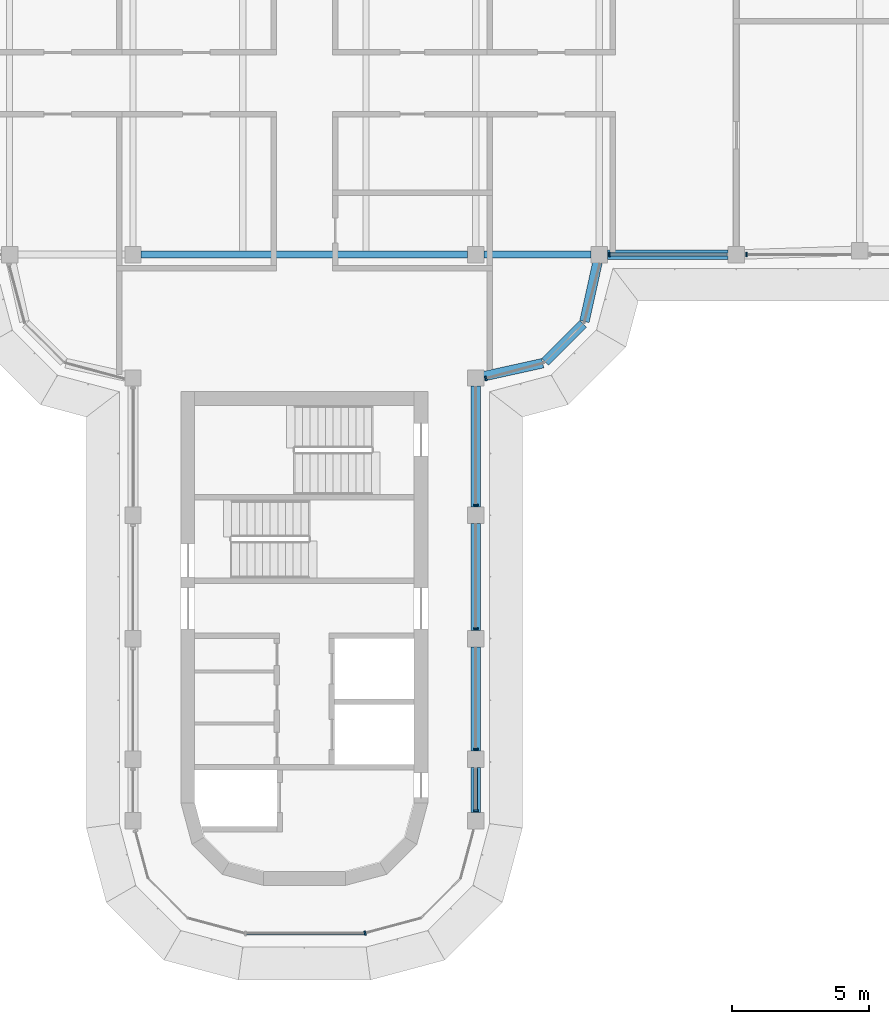
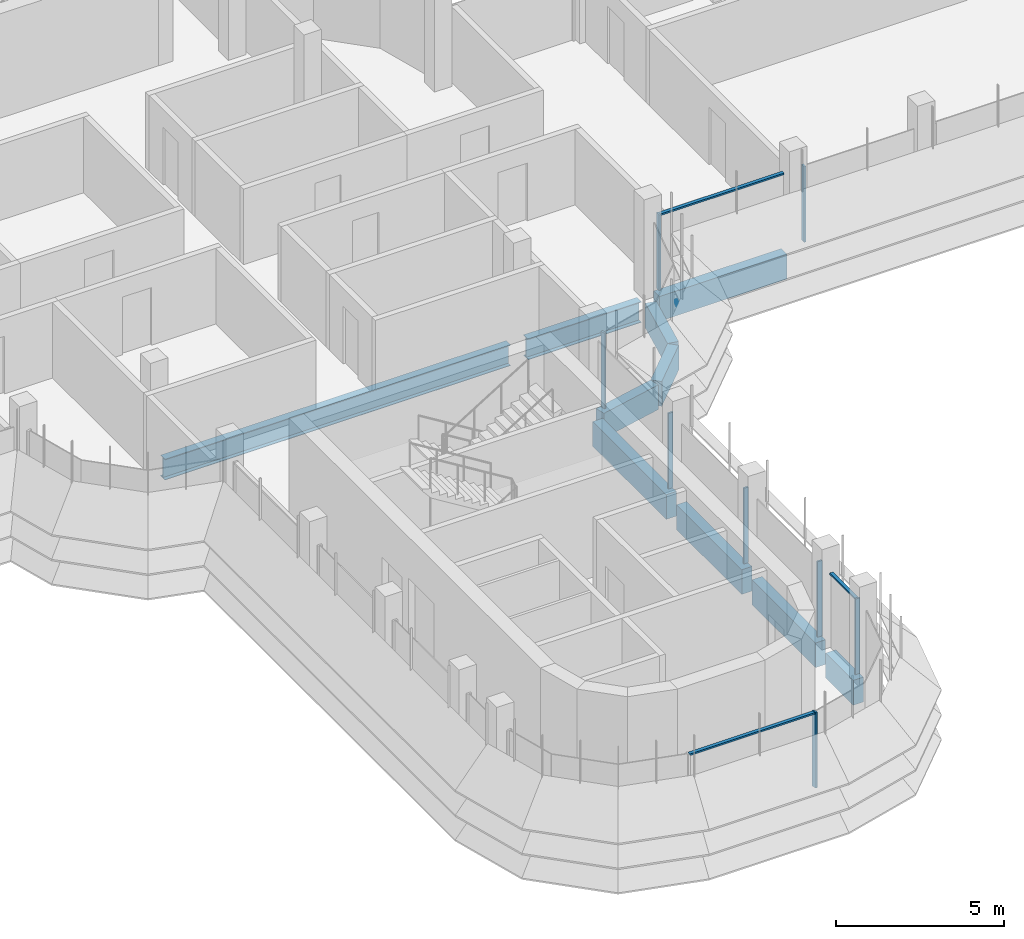
# One storey, part 4 of 19: 11 members, 10 beams, 5 elements without a shape of their own.
"""IFC4 building model written with IfcOpenShell, lengths in metres."""

from ifc_helpers import new_model, si_unit, direction, frame, origin, origin_2d, place, context, subcontext, project, spatial, polyline, rectangle, i_section, outline, extrude, source, transform, mapped, material, material_profile, profile_set, type_object, element, aggregate, save


model = new_model("IFC4")

# Units and contexts
model_context = context("Model", 3, precision=1e-05, world=origin(), true_north=direction((0.0, 1.0)))
body_context = subcontext(model_context, "Body", "Model", "MODEL_VIEW")
ifc_project = project(units=[si_unit("LENGTHUNIT", "METRE"), si_unit("AREAUNIT", "SQUARE_METRE"), si_unit("VOLUMEUNIT", "CUBIC_METRE"), si_unit("PLANEANGLEUNIT", "RADIAN"), si_unit("MASSUNIT", "GRAM", prefix="KILO")], contexts=[model_context])

# Site, building, storey
site_placement = place(None, origin())
site = spatial("IfcSite", under=ifc_project, at=site_placement, CompositionType="ELEMENT")
building_placement = place(site_placement, origin())
building = spatial("IfcBuilding", under=site, at=building_placement, Name="Zarbagh Exchange Tower", CompositionType="ELEMENT")
storey_placement = place(building_placement, frame((0.0, 0.0, 272.60009765625)))
storey = spatial("IfcBuildingStorey", under=building, at=storey_placement, Name="L67", CompositionType="ELEMENT", Elevation=272.60009765625)

# Beams
ifc_material_1 = material(Name="Steel ASTM A992 Gr 50", Category="steel")
ifc_material_profile_1 = material_profile(ifc_material_1, i_section(OverallWidth=0.2666015625, OverallDepth=0.7568359375, WebThickness=0.013916015625, FlangeThickness=0.019287109375, at=origin_2d()), Name="W30X108")
ifc_profile_set_1 = profile_set([ifc_material_profile_1], Name="Steel ASTM A992 Gr 50")
beam_type_1 = type_object("IfcBeamType", Name="Floor girder W30X108", PredefinedType="BEAM", material=ifc_profile_set_1)
beam_1_placement = place(storey_placement, frame((-5.949951171875, -6.25, -0.528564453125), z_axis=(1.0, 0.0, 0.0), x_axis=(0.0, 1.0, 0.0)))
element("IfcBeam", 1, at=beam_1_placement, inside=storey, type_object=beam_type_1, Name="Steel girder", PredefinedType="BEAM", context=body_context, shape_type="SweptSolid", body=[
    extrude(i_section(OverallWidth=0.2666015625, OverallDepth=0.7568359375, WebThickness=0.013916015625, FlangeThickness=0.019287109375, at=origin_2d()), origin(), (0.0, 0.0, 1.0), 11.89990234375),
])
beam_2_placement = place(storey_placement, frame((6.550048828125, -6.25, -0.528564453125), z_axis=(1.0, 0.0, 0.0), x_axis=(0.0, 1.0, 0.0)))
element("IfcBeam", 2, at=beam_2_placement, inside=storey, type_object=beam_type_1, Name="Steel girder", PredefinedType="BEAM", context=body_context, shape_type="SweptSolid", body=[
    extrude(i_section(OverallWidth=0.2666015625, OverallDepth=0.7568359375, WebThickness=0.013916015625, FlangeThickness=0.019287109375, at=origin_2d()), origin(), (0.0, 0.0, 1.0), 3.89990234375),
])
ifc_material_2 = material(Name="Concrete C40/50", Category="concrete")
ifc_material_profile_2 = material_profile(ifc_material_2, rectangle(XDim=0.35009765625, YDim=0.89990234375, at=origin_2d()), Name="RC spandrel beam 350 x 900 C40/50")
ifc_profile_set_2 = profile_set([ifc_material_profile_2], Name="Concrete C40/50")
beam_type_2 = type_object("IfcBeamType", Name="RC spandrel beam 350 x 900 C40/50", PredefinedType="SPANDREL", material=ifc_profile_set_2)
beam_3_placement = place(storey_placement, frame((15.449951171875, -6.25, -0.60009765625), z_axis=(-1.0, 0.0, 0.0), x_axis=(0.0, -1.0, 0.0)))
element("IfcBeam", 3, at=beam_3_placement, inside=storey, type_object=beam_type_2, Name="RC spandrel beam", PredefinedType="SPANDREL", context=body_context, shape_type="SweptSolid", body=[
    extrude(rectangle(XDim=0.35009765625, YDim=0.89990234375, at=origin_2d()), origin(), (0.0, 0.0, 1.0), 4.39990234375),
])
beam_4_placement = place(storey_placement, frame((10.685302734375, -6.54296875, -0.60009765625), z_axis=(-0.216025770228, -0.976387662047, 0.0), x_axis=(0.976387662047, -0.216025770228, 0.0)))
element("IfcBeam", 4, at=beam_4_placement, inside=storey, type_object=beam_type_2, Name="RC spandrel beam", PredefinedType="SPANDREL", context=body_context, shape_type="SweptSolid", body=[
    extrude(rectangle(XDim=0.35009765625, YDim=0.89990234375, at=origin_2d()), origin(), (0.0, 0.0, 1.0), 2.200439453125),
])
beam_5_placement = place(storey_placement, frame((10.16259765625, -8.77734375, -0.60009765625), z_axis=(-0.707106781187, -0.707106781187, 0.0), x_axis=(0.707106781187, -0.707106781187, 0.0)))
element("IfcBeam", 5, at=beam_5_placement, inside=storey, type_object=beam_type_2, Name="RC spandrel beam", PredefinedType="SPANDREL", context=body_context, shape_type="SweptSolid", body=[
    extrude(rectangle(XDim=0.35009765625, YDim=0.89990234375, at=origin_2d()), origin(), (0.0, 0.0, 1.0), 1.958984375),
])
beam_6_placement = place(storey_placement, frame((8.69140625, -10.2099609375, -0.60009765625), z_axis=(-0.976387662047, -0.216025770228, 0.0), x_axis=(0.216025770228, -0.976387662047, 0.0)))
element("IfcBeam", 6, at=beam_6_placement, inside=storey, type_object=beam_type_2, Name="RC spandrel beam", PredefinedType="SPANDREL", context=body_context, shape_type="SweptSolid", body=[
    extrude(rectangle(XDim=0.35009765625, YDim=0.89990234375, at=origin_2d()), origin(), (0.0, 0.0, 1.0), 2.200439453125),
])
beam_7_placement = place(storey_placement, frame((6.25, -11.050048828125, -0.60009765625), z_axis=(0.0, -1.0, 0.0), x_axis=(1.0, 0.0, 0.0)))
element("IfcBeam", 7, at=beam_7_placement, inside=storey, type_object=beam_type_2, Name="RC spandrel beam", PredefinedType="SPANDREL", context=body_context, shape_type="SweptSolid", body=[
    extrude(rectangle(XDim=0.35009765625, YDim=0.89990234375, at=origin_2d()), origin(), (0.0, 0.0, 1.0), 4.39990234375),
])
beam_8_placement = place(storey_placement, frame((6.25, -16.050048828125, -0.60009765625), z_axis=(0.0, -1.0, 0.0), x_axis=(1.0, 0.0, 0.0)))
element("IfcBeam", 8, at=beam_8_placement, inside=storey, type_object=beam_type_2, Name="RC spandrel beam", PredefinedType="SPANDREL", context=body_context, shape_type="SweptSolid", body=[
    extrude(rectangle(XDim=0.35009765625, YDim=0.89990234375, at=origin_2d()), origin(), (0.0, 0.0, 1.0), 3.89990234375),
])
beam_9_placement = place(storey_placement, frame((6.25, -20.550048828125, -0.60009765625), z_axis=(0.0, -1.0, 0.0), x_axis=(1.0, 0.0, 0.0)))
element("IfcBeam", 9, at=beam_9_placement, inside=storey, type_object=beam_type_2, Name="RC spandrel beam", PredefinedType="SPANDREL", context=body_context, shape_type="SweptSolid", body=[
    extrude(rectangle(XDim=0.35009765625, YDim=0.89990234375, at=origin_2d()), origin(), (0.0, 0.0, 1.0), 3.800048828125),
])
beam_10_placement = place(storey_placement, frame((6.25, -24.949951171875, -0.60009765625), z_axis=(0.0, -1.0, 0.0), x_axis=(1.0, 0.0, 0.0)))
element("IfcBeam", 10, at=beam_10_placement, inside=storey, type_object=beam_type_2, Name="RC spandrel beam", PredefinedType="SPANDREL", context=body_context, shape_type="SweptSolid", body=[
    extrude(rectangle(XDim=0.35009765625, YDim=0.89990234375, at=origin_2d()), origin(), (0.0, 0.0, 1.0), 1.650146484375),
])

# Curtain wall, member
ifc_material_3 = material(Name="Anodised aluminium frame and glazing", Category="aluminium")
curtain_wall_type = type_object("IfcCurtainWallType", Name="CWB Ribbon glazing, upper zones", PredefinedType="NOTDEFINED", material=ifc_material_3)
curtain_wall_1_placement = place(storey_placement, origin())
curtain_wall_1 = element("IfcCurtainWall", 11, at=curtain_wall_1_placement, inside=storey, type_object=curtain_wall_type, Name="CWB49 curtain wall", PredefinedType="NOTDEFINED")
ifc_material_4 = material(Name="Anodised aluminium frame", Category="aluminium")
member_type_1 = type_object("IfcMemberType", Name="MUB Mullion, anodised aluminium frame", PredefinedType="MULLION", material=ifc_material_4)
shared_shape_1 = source(origin(), body_context, "Body", "SweptSolid", [
    extrude(outline(polyline([(0.0, -0.080078125), (0.06005859375, -0.080078125), (0.06005859375, 0.080078125), (0.0, 0.080078125), (0.0, -0.080078125)])), origin(), (0.0, 0.0, 1.0), 2.75),
])
placement = place(storey_placement, origin())
member_1 = element("IfcMember", 12, at=placement, type_object=member_type_1, Name="CWB49 mullion 1.1", PredefinedType="MULLION", context=body_context, shape_type="MappedRepresentation", body=[
    mapped(shared_shape_1, transform((2.18408203125, -31.0, 0.0), x_axis=(0.965924289636, 0.258824779902, 0.0), y_axis=(-0.258824779902, 0.965924289636, 0.0), z_axis=(0.0, 0.0, 1.0))),
])
aggregate(curtain_wall_1, [member_1])

# Curtain wall, members
curtain_wall_2_placement = place(storey_placement, origin())
curtain_wall_2 = element("IfcCurtainWall", 13, at=curtain_wall_2_placement, inside=storey, type_object=curtain_wall_type, Name="CWB52 curtain wall", PredefinedType="NOTDEFINED")
member_2 = element("IfcMember", 14, at=placement, type_object=member_type_1, Name="CWB52 mullion 1.1", PredefinedType="MULLION", context=body_context, shape_type="MappedRepresentation", body=[
    mapped(shared_shape_1, transform((6.25, -26.56005859375, 0.0), x_axis=(0.0, 1.0, 0.0), y_axis=(-1.0, 0.0, 0.0), z_axis=(0.0, 0.0, 1.0))),
])
member_3 = element("IfcMember", 15, at=placement, type_object=member_type_1, Name="CWB52 mullion 2.1", PredefinedType="MULLION", context=body_context, shape_type="MappedRepresentation", body=[
    mapped(shared_shape_1, transform((6.25, -24.31005859375, 0.0), x_axis=(0.0, 1.0, 0.0), y_axis=(-1.0, 0.0, 0.0), z_axis=(0.0, 0.0, 1.0))),
])
member_4 = element("IfcMember", 16, at=placement, type_object=member_type_1, Name="CWB52 mullion 3.1", PredefinedType="MULLION", context=body_context, shape_type="MappedRepresentation", body=[
    mapped(shared_shape_1, transform((6.25, -19.909912109375, 0.0), x_axis=(0.0, 1.0, 0.0), y_axis=(-1.0, 0.0, 0.0), z_axis=(0.0, 0.0, 1.0))),
])
member_5 = element("IfcMember", 17, at=placement, type_object=member_type_1, Name="CWB52 mullion 4.1", PredefinedType="MULLION", context=body_context, shape_type="MappedRepresentation", body=[
    mapped(shared_shape_1, transform((6.25, -15.409912109375, 0.0), x_axis=(0.0, 1.0, 0.0), y_axis=(-1.0, 0.0, 0.0), z_axis=(0.0, 0.0, 1.0))),
])

# Curtain wall, member
curtain_wall_3_placement = place(storey_placement, origin())
curtain_wall_3 = element("IfcCurtainWall", 18, at=curtain_wall_3_placement, inside=storey, type_object=curtain_wall_type, Name="CWB05 curtain wall", PredefinedType="NOTDEFINED")
member_6 = element("IfcMember", 19, at=placement, type_object=member_type_1, Name="CWB05 mullion 1.1", PredefinedType="MULLION", context=body_context, shape_type="MappedRepresentation", body=[
    mapped(shared_shape_1, transform((6.590087890625, -10.775146484375, 0.0), x_axis=(0.965924289636, 0.258824779902, 0.0), y_axis=(-0.258824779902, 0.965924289636, 0.0), z_axis=(0.0, 0.0, 1.0))),
])
aggregate(curtain_wall_3, [member_6])

# Curtain wall, members
curtain_wall_4_placement = place(storey_placement, origin())
curtain_wall_4 = element("IfcCurtainWall", 20, at=curtain_wall_4_placement, inside=storey, type_object=curtain_wall_type, Name="CWB75 curtain wall", PredefinedType="NOTDEFINED")
member_7 = element("IfcMember", 21, at=placement, type_object=member_type_1, Name="CWB75 mullion 1.1", PredefinedType="MULLION", context=body_context, shape_type="MappedRepresentation", body=[
    mapped(shared_shape_1, transform((11.090087890625, -6.25, 0.0), x_axis=(1.0, 0.0, 0.0), y_axis=(0.0, 1.0, 0.0), z_axis=(0.0, 0.0, 1.0))),
])
member_8 = element("IfcMember", 22, at=placement, type_object=member_type_1, Name="CWB75 mullion 2.1", PredefinedType="MULLION", context=body_context, shape_type="MappedRepresentation", body=[
    mapped(shared_shape_1, transform((16.090087890625, -6.25, 0.0), x_axis=(1.0, 0.0, 0.0), y_axis=(0.0, 1.0, 0.0), z_axis=(0.0, 0.0, 1.0))),
])

# Curtain wall, member
curtain_wall_5_placement = place(storey_placement, origin())
curtain_wall_5 = element("IfcCurtainWall", 23, at=curtain_wall_5_placement, inside=storey, type_object=curtain_wall_type, Name="CWB57 curtain wall", PredefinedType="NOTDEFINED")
member_type_2 = type_object("IfcMemberType", Name="TRB Transom, anodised aluminium frame", PredefinedType="USERDEFINED", material=ifc_material_4)
shared_shape_2 = source(origin(), body_context, "Body", "SweptSolid", [
    extrude(outline(polyline([(-0.06005859375, -0.06005859375), (0.0, -0.06005859375), (0.0, 0.06005859375), (-0.06005859375, 0.06005859375), (-0.06005859375, -0.06005859375)])), origin(), (0.0, 0.0, 1.0), 4.308349609375),
])
member_9 = element("IfcMember", 24, at=placement, type_object=member_type_2, Name="CWB57 transom 1.1", ObjectType="TRANSOM", PredefinedType="USERDEFINED", context=body_context, shape_type="MappedRepresentation", body=[
    mapped(shared_shape_2, transform((-2.124267578125, -31.0, 2.75), x_axis=(0.0, 0.0, 1.0), y_axis=(0.0, -1.0, 0.0), z_axis=(1.0, 0.0, 0.0))),
])
aggregate(curtain_wall_5, [member_9])

# Member
shared_shape_3 = source(origin(), body_context, "Body", "SweptSolid", [
    extrude(outline(polyline([(-0.06005859375, -0.06005859375), (0.0, -0.06005859375), (0.0, 0.06005859375), (-0.06005859375, 0.06005859375), (-0.06005859375, -0.06005859375)])), origin(), (0.0, 0.0, 1.0), 1.510009765625),
])
member_10 = element("IfcMember", 25, at=placement, type_object=member_type_2, Name="CWB52 transom 1.1", ObjectType="TRANSOM", PredefinedType="USERDEFINED", context=body_context, shape_type="MappedRepresentation", body=[
    mapped(shared_shape_3, transform((6.25, -26.5, 2.75), x_axis=(0.0, 0.0, 1.0), y_axis=(1.0, 0.0, 0.0), z_axis=(0.0, 1.0, 0.0))),
])

aggregate(curtain_wall_2, [member_2, member_10, member_3, member_4, member_5])

shared_shape_4 = source(origin(), body_context, "Body", "SweptSolid", [
    extrude(outline(polyline([(-0.06005859375, -0.06005859375), (0.0, -0.06005859375), (0.0, 0.06005859375), (-0.06005859375, 0.06005859375), (-0.06005859375, -0.06005859375)])), origin(), (0.0, 0.0, 1.0), 4.260009765625),
])
member_11 = element("IfcMember", 26, at=placement, type_object=member_type_2, Name="CWB75 transom 1.1", ObjectType="TRANSOM", PredefinedType="USERDEFINED", context=body_context, shape_type="MappedRepresentation", body=[
    mapped(shared_shape_4, transform((11.150146484375, -6.25, 2.75), x_axis=(0.0, 0.0, 1.0), y_axis=(0.0, -1.0, 0.0), z_axis=(1.0, 0.0, 0.0))),
])

aggregate(curtain_wall_4, [member_7, member_11, member_8])

save(model, "model.ifc")
